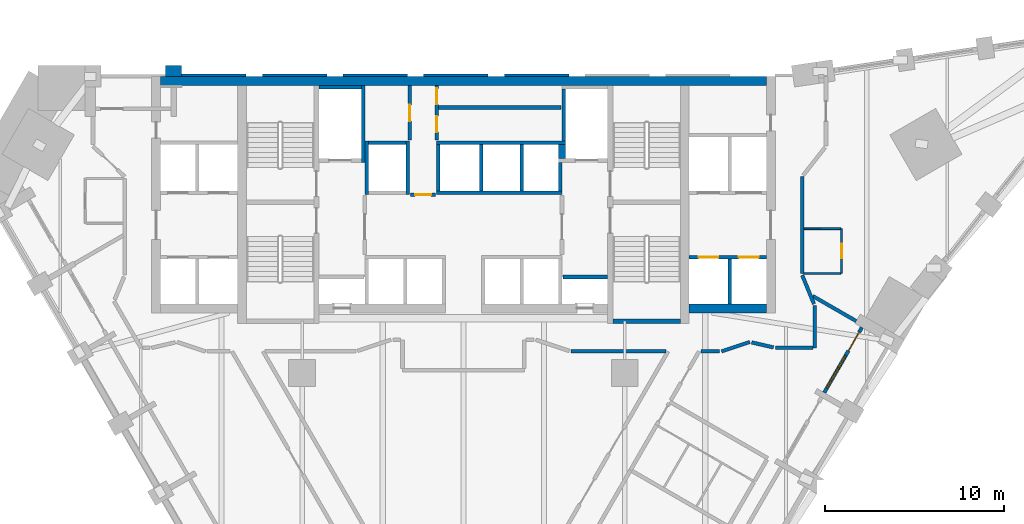
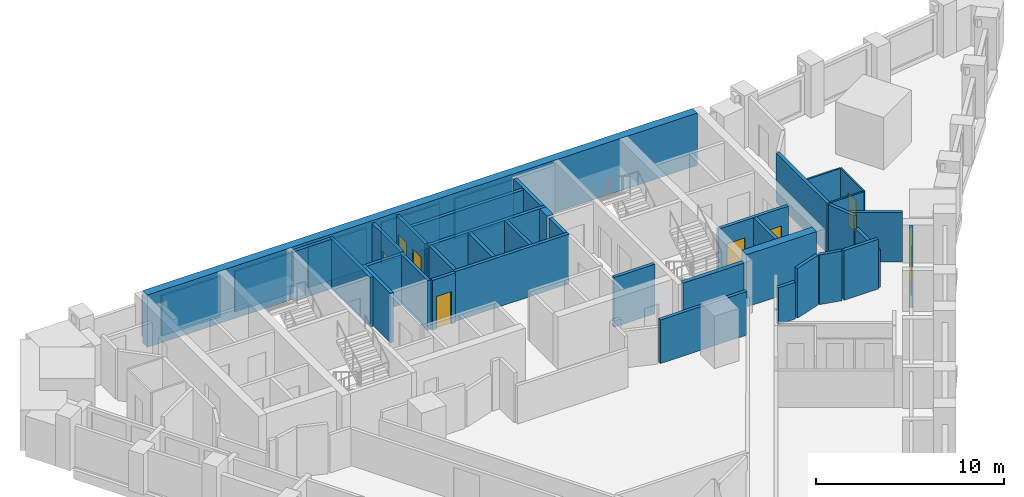
# One storey, part 7 of 10: 42 walls, 8 doors, 1 window, 9 openings.
"""IFC4 building model written with IfcOpenShell, lengths in metres."""

from ifc_helpers import new_model, si_unit, direction, frame, frame_2d, origin, place, context, subcontext, project, spatial, polyline, rectangle, outline, extrude, material, layer, layer_set, type_object, element, fill, save


model = new_model("IFC4")

# Units and contexts
model_context = context("Model", 3, precision=1e-05, world=origin(), true_north=direction((0.0, 1.0)))
body_context = subcontext(model_context, "Body", "Model", "MODEL_VIEW")
ifc_project = project(units=[si_unit("LENGTHUNIT", "METRE"), si_unit("AREAUNIT", "SQUARE_METRE"), si_unit("VOLUMEUNIT", "CUBIC_METRE"), si_unit("PLANEANGLEUNIT", "RADIAN"), si_unit("MASSUNIT", "GRAM", prefix="KILO")], contexts=[model_context])

# Site, building, storey
site_placement = place(None, origin())
site = spatial("IfcSite", under=ifc_project, at=site_placement, CompositionType="ELEMENT")
building_placement = place(site_placement, origin())
building = spatial("IfcBuilding", under=site, at=building_placement, Name="Calabash Gate Tower", CompositionType="ELEMENT")
storey_placement = place(building_placement, frame((0.0, 0.0, 108.800048828125)))
storey = spatial("IfcBuildingStorey", under=building, at=storey_placement, Name="L24", CompositionType="ELEMENT", Elevation=108.800048828125)

# Walls
ifc_material_1 = material(Name="Terracotta brick masonry, exposed face", Category="masonry")
ifc_layer_1 = layer(ifc_material_1, 1.199951171875)
ifc_layer_set_1 = layer_set([ifc_layer_1], Name="Brick end wall 1200")
wall_type_1 = type_object("IfcWallType", Name="Brick end wall 1200", PredefinedType="SOLIDWALL", material=ifc_layer_set_1)
wall_1_placement = place(storey_placement, origin())
element("IfcWall", 1, at=wall_1_placement, inside=storey, type_object=wall_type_1, Name="Brick pier S06 N6.7a", PredefinedType="SOLIDWALL", context=body_context, shape_type="SweptSolid", body=[
    extrude(outline(polyline([(-15.718994140625, 19.052490234375), (-15.718994140625, 19.652587890625), (-16.619140625, 19.652587890625), (-16.619140625, 19.052490234375), (-15.718994140625, 19.052490234375)])), origin(), (0.0, 0.0, 1.0), 2.64990234375),
])
ifc_material_2 = material(Name="Concrete C80/95", Category="concrete")
ifc_layer_2 = layer(ifc_material_2, 0.25)
ifc_layer_set_2 = layer_set([ifc_layer_2], Name="Core wall 250 Concrete C80/95")
wall_type_2 = type_object("IfcWallType", Name="Core wall 250 Concrete C80/95", PredefinedType="SHEAR", material=ifc_layer_set_2)
wall_2_placement = place(storey_placement, frame((8.35009765625, 5.377685546875, 0.0), z_axis=(0.0, 0.0, 1.0), x_axis=(1.0, 0.0, 0.0)))
element("IfcWall", 2, at=wall_2_placement, inside=storey, type_object=wall_type_2, Name="Core wall Z2-SSE L24", PredefinedType="SHEAR", context=body_context, shape_type="SweptSolid", body=[
    extrude(rectangle(XDim=3.75, YDim=0.25, at=frame_2d((1.875, 0.0))), origin(), (0.0, 0.0, 1.0), 3.39990234375),
])
ifc_material_3 = material(Name="Concrete C80/95", Category="concrete")
ifc_layer_3 = layer(ifc_material_3, 0.5)
ifc_layer_set_3 = layer_set([ifc_layer_3], Name="Core wall 500 Concrete C80/95")
wall_type_3 = type_object("IfcWallType", Name="Core wall 500 Concrete C80/95", PredefinedType="SHEAR", material=ifc_layer_set_3)
wall_3_placement = place(storey_placement, frame((-16.89990234375, 18.802490234375, 0.0), z_axis=(0.0, 0.0, 1.0), x_axis=(1.0, 0.0, 0.0)))
element("IfcWall", 3, at=wall_3_placement, inside=storey, type_object=wall_type_3, Name="Core wall Z2-N L24", PredefinedType="SHEAR", context=body_context, shape_type="SweptSolid", body=[
    extrude(rectangle(XDim=33.7998046875, YDim=0.5, at=frame_2d((16.89990234375, 0.0))), origin(), (0.0, 0.0, 1.0), 3.39990234375),
])
wall_4_placement = place(storey_placement, frame((12.60009765625, 6.1025390625, 0.0), z_axis=(0.0, 0.0, 1.0), x_axis=(1.0, 0.0, 0.0)))
element("IfcWall", 4, at=wall_4_placement, inside=storey, type_object=wall_type_3, Name="Core wall Z2-SE L24", PredefinedType="SHEAR", context=body_context, shape_type="SweptSolid", body=[
    extrude(rectangle(XDim=4.2998046875, YDim=0.5, at=frame_2d((2.14990234375, 0.0))), origin(), (0.0, 0.0, 1.0), 3.39990234375),
])
ifc_material_4 = material(Name="Gypsum board on steel studs, mineral wool", Category="steel")
ifc_layer_4 = layer(ifc_material_4, 0.10009765625)
ifc_layer_set_4 = layer_set([ifc_layer_4], Name="Partition 100 gypsum board")
wall_type_4 = type_object("IfcWallType", Name="Partition 100 gypsum board", PredefinedType="PARTITIONING", material=ifc_layer_set_4)
wall_5_placement = place(storey_placement, frame((19.00048828125, 8.05419921875, 0.0), z_axis=(0.0, 0.0, 1.0), x_axis=(0.999999744716, -0.000714540725, 0.0)))
element("IfcWall", 5, at=wall_5_placement, inside=storey, type_object=wall_type_4, Name="Partition", PredefinedType="PARTITIONING", context=body_context, shape_type="SweptSolid", body=[
    extrude(rectangle(XDim=2.050048828125, YDim=0.10009765625, at=frame_2d((1.02490234375, 0.0))), origin(), (0.0, 0.0, 1.0), 3.22998046875),
])

# Wall, opening, door
wall_6_placement = place(storey_placement, frame((21.1005859375, 8.052734375, 0.0), z_axis=(0.0, 0.0, 1.0), x_axis=(0.0, 1.0, 0.0)))
wall_6 = element("IfcWall", 6, at=wall_6_placement, inside=storey, type_object=wall_type_4, Name="Partition", PredefinedType="PARTITIONING", context=body_context, shape_type="SweptSolid", body=[
    extrude(rectangle(XDim=2.5, YDim=0.10009765625, at=frame_2d((1.25, 0.0))), origin(), (0.0, 0.0, 1.0), 3.22998046875),
])
opening_1_placement = place(wall_6_placement, frame((0.85009765625, 0.0, 0.0)))
opening_1 = element("IfcOpeningElement", 7, at=opening_1_placement, cuts=wall_6, Name="Opening 22-24-010", PredefinedType="OPENING", context=body_context, shape_type="SweptSolid", body=[
    extrude(rectangle(XDim=0.800048828125, YDim=2.10009765625, at=frame_2d((0.39990234375, 1.050048828125))), frame((0.0, 0.06005859375, 0.0), z_axis=(0.0, -1.0, 0.0), x_axis=(1.0, 0.0, 0.0)), (0.0, 0.0, 1.0), 0.1201171875),
])
ifc_material_5 = material(Name="Painted timber door", Category="wood")
door_type_1 = type_object("IfcDoorType", Name="GD5 En-suite door 800x2100", OperationType="NOTDEFINED", PredefinedType="DOOR", material=ifc_material_5)
door_1_placement = place(opening_1_placement, origin())
door_1 = element("IfcDoor", 8, at=door_1_placement, inside=storey, type_object=door_type_1, Name="En-suite door", OperationType="SINGLE_SWING_LEFT", OverallHeight=2.10009765625, OverallWidth=0.800048828125, PredefinedType="DOOR", context=body_context, shape_type="SweptSolid", body=[
    extrude(rectangle(XDim=0.800048828125, YDim=2.10009765625, at=frame_2d((0.39990234375, 1.050048828125))), frame((0.0, 0.02490234375, 0.0), z_axis=(0.0, -1.0, 0.0), x_axis=(1.0, 0.0, 0.0)), (0.0, 0.0, 1.0), 0.050048828125),
])
fill(opening_1, door_1)

# Walls
wall_7_placement = place(storey_placement, frame((19.00048828125, 10.551025390625, 0.0), z_axis=(0.0, 0.0, 1.0), x_axis=(0.999999744716, 0.000714540725, 0.0)))
element("IfcWall", 9, at=wall_7_placement, inside=storey, type_object=wall_type_4, Name="Partition", PredefinedType="PARTITIONING", context=body_context, shape_type="SweptSolid", body=[
    extrude(rectangle(XDim=2.050048828125, YDim=0.10009765625, at=frame_2d((1.02490234375, 0.0))), origin(), (0.0, 0.0, 1.0), 3.22998046875),
])
ifc_material_6 = material(Name="Gypsum board on steel studs, mineral wool", Category="steel")
ifc_layer_5 = layer(ifc_material_6, 0.199951171875)
ifc_layer_set_5 = layer_set([ifc_layer_5], Name="Partition 200 gypsum board EI 60")
wall_type_5 = type_object("IfcWallType", Name="Partition 200 gypsum board EI 60", PredefinedType="PARTITIONING", material=ifc_layer_set_5)
wall_8_placement = place(storey_placement, frame((6.0, 3.69970703125, 0.0), z_axis=(0.0, 0.0, 1.0), x_axis=(1.0, 0.0, 0.0)))
element("IfcWall", 10, at=wall_8_placement, inside=storey, type_object=wall_type_5, Name="Partition", PredefinedType="PARTITIONING", context=body_context, shape_type="SweptSolid", body=[
    extrude(rectangle(XDim=5.314697265625, YDim=0.199951171875, at=frame_2d((2.6572265625, 0.0))), origin(), (0.0, 0.0, 1.0), 2.83154296875),
])
wall_9_placement = place(storey_placement, frame((13.24755859375, 3.699462890625, 0.0), z_axis=(0.0, 0.0, 1.0), x_axis=(1.0, 0.0, 0.0)))
element("IfcWall", 11, at=wall_9_placement, inside=storey, type_object=wall_type_5, Name="Partition", PredefinedType="PARTITIONING", context=body_context, shape_type="SweptSolid", body=[
    extrude(rectangle(XDim=1.052490234375, YDim=0.199951171875, at=frame_2d((0.5263671875, 0.0))), origin(), (0.0, 0.0, 1.0), 2.384033203125),
])
wall_10_placement = place(storey_placement, frame((14.400146484375, 3.699462890625, 0.0), z_axis=(0.0, 0.0, 1.0), x_axis=(0.948683298051, 0.316227766017, 0.0)))
element("IfcWall", 12, at=wall_10_placement, inside=storey, type_object=wall_type_5, Name="Partition", PredefinedType="PARTITIONING", context=body_context, shape_type="SweptSolid", body=[
    extrude(rectangle(XDim=1.66845703125, YDim=0.199951171875, at=frame_2d((0.834228515625, 0.0))), origin(), (0.0, 0.0, 1.0), 3.22998046875),
])
wall_11_placement = place(storey_placement, frame((17.39990234375, 3.8994140625, 0.0), z_axis=(0.0, 0.0, 1.0), x_axis=(0.999999993243, 0.000116252034, 0.0)))
element("IfcWall", 13, at=wall_11_placement, inside=storey, type_object=wall_type_5, Name="Partition", PredefinedType="PARTITIONING", context=body_context, shape_type="SweptSolid", body=[
    extrude(rectangle(XDim=2.10009765625, YDim=0.199951171875, at=frame_2d((1.050048828125, 0.0))), origin(), (0.0, 0.0, 1.0), 3.22998046875),
])
wall_12_placement = place(storey_placement, frame((19.60009765625, 3.899658203125, 0.0), z_axis=(0.0, 0.0, 1.0), x_axis=(0.000207511927, 0.999999978469, 0.0)))
element("IfcWall", 14, at=wall_12_placement, inside=storey, type_object=wall_type_5, Name="Partition", PredefinedType="PARTITIONING", context=body_context, shape_type="SweptSolid", body=[
    extrude(rectangle(XDim=2.35302734375, YDim=0.199951171875, at=frame_2d((1.176513671875, 0.0))), origin(), (0.0, 0.0, 1.0), 2.449951171875),
])
wall_13_placement = place(storey_placement, frame((16.080322265625, 4.20458984375, 0.0), z_axis=(0.0, 0.0, 1.0), x_axis=(0.974315694548, -0.225186428005, 0.0)))
element("IfcWall", 15, at=wall_13_placement, inside=storey, type_object=wall_type_5, Name="Partition", PredefinedType="PARTITIONING", context=body_context, shape_type="SweptSolid", body=[
    extrude(rectangle(XDim=1.25439453125, YDim=0.199951171875, at=frame_2d((0.627197265625, 0.0))), origin(), (0.0, 0.0, 1.0), 3.22998046875),
])
wall_14_placement = place(storey_placement, frame((18.904296875, 7.9541015625, 0.0), z_axis=(0.0, 0.0, 1.0), x_axis=(0.378643783121, -0.925542481739, 0.0)))
element("IfcWall", 16, at=wall_14_placement, inside=storey, type_object=wall_type_5, Name="Partition", PredefinedType="PARTITIONING", context=body_context, shape_type="SweptSolid", body=[
    extrude(rectangle(XDim=1.73828125, YDim=0.199951171875, at=frame_2d((0.869140625, 0.0))), origin(), (0.0, 0.0, 1.0), 3.22998046875),
])
wall_15_placement = place(storey_placement, frame((19.487060546875, 6.794189453125, 0.0), z_axis=(0.0, 0.0, 1.0), x_axis=(0.866320237392, -0.499488985149, 0.0)))
element("IfcWall", 17, at=wall_15_placement, inside=storey, type_object=wall_type_5, Name="Partition", PredefinedType="PARTITIONING", context=body_context, shape_type="SweptSolid", body=[
    extrude(rectangle(XDim=2.806640625, YDim=0.199951171875, at=frame_2d((1.4033203125, 0.0))), origin(), (0.0, 0.0, 1.0), 3.22998046875),
])
wall_16_placement = place(storey_placement, frame((18.902099609375, 8.052734375, 0.0), z_axis=(0.0, 0.0, 1.0), x_axis=(0.0, 1.0, 0.0)))
element("IfcWall", 18, at=wall_16_placement, inside=storey, type_object=wall_type_5, Name="Partition", PredefinedType="PARTITIONING", context=body_context, shape_type="SweptSolid", body=[
    extrude(rectangle(XDim=5.399658203125, YDim=0.199951171875, at=frame_2d((2.69970703125, 0.0))), origin(), (0.0, 0.0, 1.0), 3.22998046875),
])
ifc_material_7 = material(Name="Concrete C40/50", Category="concrete")
ifc_layer_6 = layer(ifc_material_7, 0.199951171875)
ifc_layer_set_6 = layer_set([ifc_layer_6], Name="Shaft wall 200 Concrete C40/50")
wall_type_6 = type_object("IfcWallType", Name="Shaft wall 200 Concrete C40/50", PredefinedType="SOLIDWALL", material=ifc_layer_set_6)
for number, where, z_axis, x_axis, name in (
    (19, (14.85009765625, 6.3525390625, 0.0), (0.0, 0.0, 1.0), (0.0, 1.0, 0.0), "Shaft wall"),
    (20, (5.550048828125, 7.8525390625, 0.0), (0.0, 0.0, 1.0), (1.0, 0.0, 0.0), "Shaft wall"),
):
    element("IfcWall", number, at=place(storey_placement, frame(where, z_axis=z_axis, x_axis=x_axis)), inside=storey, type_object=wall_type_6, Name=name, PredefinedType="SOLIDWALL", context=body_context, shape_type="SweptSolid", body=[
        extrude(rectangle(XDim=2.5, YDim=0.199951171875, at=frame_2d((1.25, 0.0))), origin(), (0.0, 0.0, 1.0), 3.22998046875),
    ])

# Wall, openings, doors
wall_17_placement = place(storey_placement, frame((12.60009765625, 8.95263671875, 0.0), z_axis=(0.0, 0.0, 1.0), x_axis=(1.0, 0.0, 0.0)))
wall_17 = element("IfcWall", 21, at=wall_17_placement, inside=storey, type_object=wall_type_6, Name="Shaft wall", PredefinedType="SOLIDWALL", context=body_context, shape_type="SweptSolid", body=[
    extrude(rectangle(XDim=4.2998046875, YDim=0.199951171875, at=frame_2d((2.14990234375, 0.0))), origin(), (0.0, 0.0, 1.0), 3.22998046875),
])
opening_2_placement = place(wall_17_placement, frame((0.52490234375, 0.0, 0.0)))
opening_2 = element("IfcOpeningElement", 22, at=opening_2_placement, cuts=wall_17, Name="Opening LD-LR5", PredefinedType="OPENING", context=body_context, shape_type="SweptSolid", body=[
    extrude(rectangle(XDim=1.10009765625, YDim=2.10009765625, at=frame_2d((0.550048828125, 1.050048828125))), frame((0.0, 0.10986328125, 0.0), z_axis=(0.0, -1.0, 0.0), x_axis=(1.0, 0.0, 0.0)), (0.0, 0.0, 1.0), 0.219970703125),
])
opening_3_placement = place(wall_17_placement, frame((2.77490234375, 0.0, 0.0)))
opening_3 = element("IfcOpeningElement", 23, at=opening_3_placement, cuts=wall_17, Name="Opening LD-LR6", PredefinedType="OPENING", context=body_context, shape_type="SweptSolid", body=[
    extrude(rectangle(XDim=1.10009765625, YDim=2.10009765625, at=frame_2d((0.550048828125, 1.050048828125))), frame((0.0, 0.10986328125, 0.0), z_axis=(0.0, -1.0, 0.0), x_axis=(1.0, 0.0, 0.0)), (0.0, 0.0, 1.0), 0.219970703125),
])
ifc_material_8 = material(Name="Stainless steel sliding door leaves", Category="steel")
door_type_2 = type_object("IfcDoorType", Name="Lift landing door LS1 1100x2100 FD90", OperationType="DOUBLE_DOOR_SLIDING", PredefinedType="DOOR", material=ifc_material_8)
door_2_placement = place(opening_2_placement, origin())
door_2 = element("IfcDoor", 24, at=door_2_placement, inside=storey, type_object=door_type_2, Name="Lift landing door LR5", OperationType="DOUBLE_DOOR_SLIDING", OverallHeight=2.10009765625, OverallWidth=1.10009765625, PredefinedType="DOOR", context=body_context, shape_type="SweptSolid", body=[
    extrude(rectangle(XDim=1.10009765625, YDim=2.10009765625, at=frame_2d((0.550048828125, 1.050048828125))), frame((0.0, 0.02490234375, 0.0), z_axis=(0.0, -1.0, 0.0), x_axis=(1.0, 0.0, 0.0)), (0.0, 0.0, 1.0), 0.050048828125),
])
fill(opening_2, door_2)
door_3_placement = place(opening_3_placement, origin())
door_3 = element("IfcDoor", 25, at=door_3_placement, inside=storey, type_object=door_type_2, Name="Lift landing door LR6", OperationType="DOUBLE_DOOR_SLIDING", OverallHeight=2.10009765625, OverallWidth=1.10009765625, PredefinedType="DOOR", context=body_context, shape_type="SweptSolid", body=[
    extrude(rectangle(XDim=1.10009765625, YDim=2.10009765625, at=frame_2d((0.550048828125, 1.050048828125))), frame((0.0, 0.02490234375, 0.0), z_axis=(0.0, -1.0, 0.0), x_axis=(1.0, 0.0, 0.0)), (0.0, 0.0, 1.0), 0.050048828125),
])
fill(opening_3, door_3)

# Wall, opening, door
wall_18_placement = place(storey_placement, frame((-2.949951171875, 12.45263671875, 0.0), z_axis=(0.0, 0.0, 1.0), x_axis=(1.0, 0.0, 0.0)))
wall_18 = element("IfcWall", 26, at=wall_18_placement, inside=storey, type_object=wall_type_6, Name="Shaft wall", PredefinedType="SOLIDWALL", context=body_context, shape_type="SweptSolid", body=[
    extrude(rectangle(XDim=1.39990234375, YDim=0.199951171875, at=frame_2d((0.699951171875, 0.0))), origin(), (0.0, 0.0, 1.0), 3.22998046875),
])
opening_4_placement = place(wall_18_placement, frame((0.25, 0.0, 0.0)))
opening_4 = element("IfcOpeningElement", 27, at=opening_4_placement, cuts=wall_18, Name="Opening H6-005", PredefinedType="OPENING", context=body_context, shape_type="SweptSolid", body=[
    extrude(rectangle(XDim=0.89990234375, YDim=2.10009765625, at=frame_2d((0.449951171875, 1.050048828125))), frame((0.0, 0.10986328125, 0.0), z_axis=(0.0, -1.0, 0.0), x_axis=(1.0, 0.0, 0.0)), (0.0, 0.0, 1.0), 0.219970703125),
])
ifc_material_9 = material(Name="Steel fire door set with fire-resisting glazing", Category="steel")
door_type_3 = type_object("IfcDoorType", Name="Fire door D06 900x2100 FD60", OperationType="NOTDEFINED", PredefinedType="DOOR", material=ifc_material_9)
door_4_placement = place(opening_4_placement, origin())
door_4 = element("IfcDoor", 28, at=door_4_placement, inside=storey, type_object=door_type_3, Name="Service Corridor door", OperationType="SINGLE_SWING_RIGHT", OverallHeight=2.10009765625, OverallWidth=0.89990234375, PredefinedType="DOOR", context=body_context, shape_type="SweptSolid", body=[
    extrude(rectangle(XDim=0.89990234375, YDim=2.10009765625, at=frame_2d((0.449951171875, 1.050048828125))), frame((0.0, 0.02490234375, 0.0), z_axis=(0.0, -1.0, 0.0), x_axis=(1.0, 0.0, 0.0)), (0.0, 0.0, 1.0), 0.050048828125),
])
fill(opening_4, door_4)

# Walls
for number, where, z_axis, x_axis, name in (
    (29, (-5.39990234375, 12.45263671875, 0.0), (0.0, 0.0, 1.0), (0.0, 1.0, 0.0), "Shaft wall"),
    (30, (-3.10009765625, 12.45263671875, 0.0), (0.0, 0.0, 1.0), (0.0, 1.0, 0.0), "Shaft wall"),
):
    element("IfcWall", number, at=place(storey_placement, frame(where, z_axis=z_axis, x_axis=x_axis)), inside=storey, type_object=wall_type_6, Name=name, PredefinedType="SOLIDWALL", context=body_context, shape_type="SweptSolid", body=[
        extrude(rectangle(XDim=3.0, YDim=0.199951171875, at=frame_2d((1.5, 0.0))), origin(), (0.0, 0.0, 1.0), 3.22998046875),
    ])
wall_19_placement = place(storey_placement, frame((-1.5, 12.552490234375, 0.0), z_axis=(0.0, 0.0, 1.0), x_axis=(1.0, 0.0, 0.0)))
element("IfcWall", 31, at=wall_19_placement, inside=storey, type_object=wall_type_6, Name="Shaft wall", PredefinedType="SOLIDWALL", context=body_context, shape_type="SweptSolid", body=[
    extrude(rectangle(XDim=7.0, YDim=0.199951171875, at=frame_2d((3.5, 0.0))), origin(), (0.0, 0.0, 1.0), 3.22998046875),
])
for number, where, z_axis, x_axis, name in (
    (32, (-1.39990234375, 12.652587890625, 0.0), (0.0, 0.0, 1.0), (0.0, 1.0, 0.0), "Shaft wall"),
    (33, (1.0, 12.652587890625, 0.0), (0.0, 0.0, 1.0), (0.0, 1.0, 0.0), "Shaft wall"),
    (34, (3.25, 12.652587890625, 0.0), (0.0, 0.0, 1.0), (0.0, 1.0, 0.0), "Shaft wall"),
):
    element("IfcWall", number, at=place(storey_placement, frame(where, z_axis=z_axis, x_axis=x_axis)), inside=storey, type_object=wall_type_6, Name=name, PredefinedType="SOLIDWALL", context=body_context, shape_type="SweptSolid", body=[
        extrude(rectangle(XDim=2.60009765625, YDim=0.199951171875, at=frame_2d((1.300048828125, 0.0))), origin(), (0.0, 0.0, 1.0), 3.22998046875),
    ])
wall_20_placement = place(storey_placement, frame((5.39990234375, 12.652587890625, 0.0), z_axis=(0.0, 0.0, 1.0), x_axis=(0.0, 1.0, 0.0)))
element("IfcWall", 35, at=wall_20_placement, inside=storey, type_object=wall_type_6, Name="Shaft wall", PredefinedType="SOLIDWALL", context=body_context, shape_type="SweptSolid", body=[
    extrude(rectangle(XDim=1.60009765625, YDim=0.199951171875, at=frame_2d((0.800048828125, 0.0))), origin(), (0.0, 0.0, 1.0), 3.22998046875),
])
wall_21_placement = place(storey_placement, frame((-5.60009765625, 14.252685546875, 0.0), z_axis=(0.0, 0.0, 1.0), x_axis=(0.0, 1.0, 0.0)))
element("IfcWall", 36, at=wall_21_placement, inside=storey, type_object=wall_type_6, Name="Shaft wall", PredefinedType="SOLIDWALL", context=body_context, shape_type="SweptSolid", body=[
    extrude(rectangle(XDim=4.2998046875, YDim=0.199951171875, at=frame_2d((2.14990234375, 0.0))), origin(), (0.0, 0.0, 1.0), 3.22998046875),
])
wall_22_placement = place(storey_placement, frame((5.5, 14.45263671875, 0.0), z_axis=(0.0, 0.0, 1.0), x_axis=(0.0, 1.0, 0.0)))
element("IfcWall", 37, at=wall_22_placement, inside=storey, type_object=wall_type_6, Name="Shaft wall", PredefinedType="SOLIDWALL", context=body_context, shape_type="SweptSolid", body=[
    extrude(rectangle(XDim=0.800048828125, YDim=0.39990234375, at=frame_2d((0.39990234375, 0.0))), origin(), (0.0, 0.0, 1.0), 3.22998046875),
])
wall_23_placement = place(storey_placement, frame((-5.300048828125, 15.3525390625, 0.0), z_axis=(0.0, 0.0, 1.0), x_axis=(1.0, 0.0, 0.0)))
element("IfcWall", 38, at=wall_23_placement, inside=storey, type_object=wall_type_6, Name="Shaft wall", PredefinedType="SOLIDWALL", context=body_context, shape_type="SweptSolid", body=[
    extrude(rectangle(XDim=2.10009765625, YDim=0.199951171875, at=frame_2d((1.050048828125, 0.0))), origin(), (0.0, 0.0, 1.0), 3.22998046875),
])
wall_24_placement = place(storey_placement, frame((-1.5, 15.3525390625, 0.0), z_axis=(0.0, 0.0, 1.0), x_axis=(1.0, 0.0, 0.0)))
element("IfcWall", 39, at=wall_24_placement, inside=storey, type_object=wall_type_6, Name="Shaft wall", PredefinedType="SOLIDWALL", context=body_context, shape_type="SweptSolid", body=[
    extrude(rectangle(XDim=7.199951171875, YDim=0.199951171875, at=frame_2d((3.60009765625, 0.0))), origin(), (0.0, 0.0, 1.0), 3.22998046875),
])
wall_25_placement = place(storey_placement, frame((5.60009765625, 15.45263671875, 0.0), z_axis=(0.0, 0.0, 1.0), x_axis=(0.0, 1.0, 0.0)))
element("IfcWall", 40, at=wall_25_placement, inside=storey, type_object=wall_type_6, Name="Shaft wall", PredefinedType="SOLIDWALL", context=body_context, shape_type="SweptSolid", body=[
    extrude(rectangle(XDim=2.89990234375, YDim=0.199951171875, at=frame_2d((1.449951171875, 0.0))), origin(), (0.0, 0.0, 1.0), 3.22998046875),
])

# Wall, opening, door
wall_26_placement = place(storey_placement, frame((-3.0, 15.502685546875, 0.0), z_axis=(0.0, 0.0, 1.0), x_axis=(0.0, 1.0, 0.0)))
wall_26 = element("IfcWall", 41, at=wall_26_placement, inside=storey, type_object=wall_type_6, Name="Shaft wall", PredefinedType="SOLIDWALL", context=body_context, shape_type="SweptSolid", body=[
    extrude(rectangle(XDim=3.0498046875, YDim=0.199951171875, at=frame_2d((1.52490234375, 0.0))), origin(), (0.0, 0.0, 1.0), 3.22998046875),
])
opening_5_placement = place(wall_26_placement, frame((1.050048828125, 0.0, 0.0)))
opening_5 = element("IfcOpeningElement", 42, at=opening_5_placement, cuts=wall_26, Name="Opening H6-008", PredefinedType="OPENING", context=body_context, shape_type="SweptSolid", body=[
    extrude(rectangle(XDim=0.89990234375, YDim=2.10009765625, at=frame_2d((0.449951171875, 1.050048828125))), frame((0.0, 0.10986328125, 0.0), z_axis=(0.0, -1.0, 0.0), x_axis=(1.0, 0.0, 0.0)), (0.0, 0.0, 1.0), 0.219970703125),
])
door_5_placement = place(opening_5_placement, origin())
door_5 = element("IfcDoor", 43, at=door_5_placement, inside=storey, type_object=door_type_3, Name="Luggage Store door", OperationType="SINGLE_SWING_LEFT", OverallHeight=2.10009765625, OverallWidth=0.89990234375, PredefinedType="DOOR", context=body_context, shape_type="SweptSolid", body=[
    extrude(rectangle(XDim=0.89990234375, YDim=2.10009765625, at=frame_2d((0.449951171875, 1.050048828125))), frame((0.0, 0.02490234375, 0.0), z_axis=(0.0, -1.0, 0.0), x_axis=(1.0, 0.0, 0.0)), (0.0, 0.0, 1.0), 0.050048828125),
])
fill(opening_5, door_5)

# Wall, openings, doors
wall_27_placement = place(storey_placement, frame((-1.5, 15.502685546875, 0.0), z_axis=(0.0, 0.0, 1.0), x_axis=(0.0, 1.0, 0.0)))
wall_27 = element("IfcWall", 44, at=wall_27_placement, inside=storey, type_object=wall_type_6, Name="Shaft wall", PredefinedType="SOLIDWALL", context=body_context, shape_type="SweptSolid", body=[
    extrude(rectangle(XDim=3.0498046875, YDim=0.199951171875, at=frame_2d((1.52490234375, 0.0))), origin(), (0.0, 0.0, 1.0), 3.22998046875),
])
opening_6_placement = place(wall_27_placement, frame((0.429931640625, 0.0, 0.0)))
opening_6 = element("IfcOpeningElement", 45, at=opening_6_placement, cuts=wall_27, Name="Opening H6-009", PredefinedType="OPENING", context=body_context, shape_type="SweptSolid", body=[
    extrude(rectangle(XDim=0.89990234375, YDim=2.10009765625, at=frame_2d((0.449951171875, 1.050048828125))), frame((0.0, 0.10986328125, 0.0), z_axis=(0.0, -1.0, 0.0), x_axis=(1.0, 0.0, 0.0)), (0.0, 0.0, 1.0), 0.219970703125),
])
opening_7_placement = place(wall_27_placement, frame((1.97998046875, 0.0, 0.0)))
opening_7 = element("IfcOpeningElement", 46, at=opening_7_placement, cuts=wall_27, Name="Opening H6-010", PredefinedType="OPENING", context=body_context, shape_type="SweptSolid", body=[
    extrude(rectangle(XDim=0.89990234375, YDim=2.10009765625, at=frame_2d((0.449951171875, 1.050048828125))), frame((0.0, 0.10986328125, 0.0), z_axis=(0.0, -1.0, 0.0), x_axis=(1.0, 0.0, 0.0)), (0.0, 0.0, 1.0), 0.219970703125),
])
door_6_placement = place(opening_6_placement, origin())
door_6 = element("IfcDoor", 47, at=door_6_placement, inside=storey, type_object=door_type_3, Name="Comms Room door", OperationType="SINGLE_SWING_LEFT", OverallHeight=2.10009765625, OverallWidth=0.89990234375, PredefinedType="DOOR", context=body_context, shape_type="SweptSolid", body=[
    extrude(rectangle(XDim=0.89990234375, YDim=2.10009765625, at=frame_2d((0.449951171875, 1.050048828125))), frame((0.0, 0.02490234375, 0.0), z_axis=(0.0, -1.0, 0.0), x_axis=(1.0, 0.0, 0.0)), (0.0, 0.0, 1.0), 0.050048828125),
])
fill(opening_6, door_6)
door_7_placement = place(opening_7_placement, origin())
door_7 = element("IfcDoor", 48, at=door_7_placement, inside=storey, type_object=door_type_3, Name="Housekeeping Store door", OperationType="SINGLE_SWING_LEFT", OverallHeight=2.10009765625, OverallWidth=0.89990234375, PredefinedType="DOOR", context=body_context, shape_type="SweptSolid", body=[
    extrude(rectangle(XDim=0.89990234375, YDim=2.10009765625, at=frame_2d((0.449951171875, 1.050048828125))), frame((0.0, 0.02490234375, 0.0), z_axis=(0.0, -1.0, 0.0), x_axis=(1.0, 0.0, 0.0)), (0.0, 0.0, 1.0), 0.050048828125),
])
fill(opening_7, door_7)

# Walls
wall_28_placement = place(storey_placement, frame((-1.39990234375, 17.3125, 0.0), z_axis=(0.0, 0.0, 1.0), x_axis=(1.0, 0.0, 0.0)))
element("IfcWall", 49, at=wall_28_placement, inside=storey, type_object=wall_type_6, Name="Shaft wall", PredefinedType="SOLIDWALL", context=body_context, shape_type="SweptSolid", body=[
    extrude(rectangle(XDim=6.849853515625, YDim=0.199951171875, at=frame_2d((3.4248046875, 0.0))), origin(), (0.0, 0.0, 1.0), 3.22998046875),
])
wall_29_placement = place(storey_placement, frame((-8.050048828125, 18.45263671875, 0.0), z_axis=(0.0, 0.0, 1.0), x_axis=(1.0, 0.0, 0.0)))
element("IfcWall", 50, at=wall_29_placement, inside=storey, type_object=wall_type_6, Name="Shaft wall", PredefinedType="SOLIDWALL", context=body_context, shape_type="SweptSolid", body=[
    extrude(rectangle(XDim=2.35009765625, YDim=0.199951171875, at=frame_2d((1.175048828125, 0.0))), origin(), (0.0, 0.0, 1.0), 3.22998046875),
])
ifc_material_10 = material(Name="Terracotta brick masonry, perforated", Category="masonry")
ifc_layer_7 = layer(ifc_material_10, 0.1201171875)
ifc_layer_set_7 = layer_set([ifc_layer_7], Name="Terracotta jaali cladding B 120")
wall_type_7 = type_object("IfcWallType", Name="Terracotta jaali cladding B 120", PredefinedType="SOLIDWALL", material=ifc_layer_set_7)
wall_30_placement = place(storey_placement, origin())
element("IfcWall", 51, at=wall_30_placement, inside=storey, type_object=wall_type_7, Name="Jaali cladding S06 N6.3", PredefinedType="SOLIDWALL", context=body_context, shape_type="SweptSolid", body=[
    extrude(outline(polyline([(2.281005859375, 19.172607421875), (2.281005859375, 19.052490234375), (5.880859375, 19.052490234375), (5.880859375, 19.172607421875), (2.281005859375, 19.172607421875)])), origin(), (0.0, 0.0, 1.0), 2.64990234375),
])
wall_31_placement = place(storey_placement, origin())
element("IfcWall", 52, at=wall_31_placement, inside=storey, type_object=wall_type_7, Name="Jaali cladding S06 N6.5", PredefinedType="SOLIDWALL", context=body_context, shape_type="SweptSolid", body=[
    extrude(outline(polyline([(-6.718994140625, 19.172607421875), (-6.718994140625, 19.052490234375), (-3.119140625, 19.052490234375), (-3.119140625, 19.172607421875), (-6.718994140625, 19.172607421875)])), origin(), (0.0, 0.0, 1.0), 2.64990234375),
])
wall_32_placement = place(storey_placement, origin())
element("IfcWall", 53, at=wall_32_placement, inside=storey, type_object=wall_type_7, Name="Jaali cladding S06 N6.7", PredefinedType="SOLIDWALL", context=body_context, shape_type="SweptSolid", body=[
    extrude(outline(polyline([(-15.718505859375, 19.172607421875), (-15.718505859375, 19.052490234375), (-12.119140625, 19.052490234375), (-12.119140625, 19.172607421875), (-15.718505859375, 19.172607421875)])), origin(), (0.0, 0.0, 1.0), 2.64990234375),
])
ifc_material_11 = material(Name="Terracotta louvre blades in an aluminium frame", Category="masonry")
ifc_layer_8 = layer(ifc_material_11, 0.1201171875)
ifc_layer_set_8 = layer_set([ifc_layer_8], Name="Terracotta vent louvre cladding 120")
wall_type_8 = type_object("IfcWallType", Name="Terracotta vent louvre cladding 120", PredefinedType="ELEMENTEDWALL", material=ifc_layer_set_8)
wall_33_placement = place(storey_placement, origin())
element("IfcWall", 54, at=wall_33_placement, inside=storey, type_object=wall_type_8, Name="Vent louvre cladding S06 N6.4", PredefinedType="ELEMENTEDWALL", context=body_context, shape_type="SweptSolid", body=[
    extrude(outline(polyline([(-2.218994140625, 19.172607421875), (-2.218994140625, 19.052490234375), (1.380859375, 19.052490234375), (1.380859375, 19.172607421875), (-2.218994140625, 19.172607421875)])), origin(), (0.0, 0.0, 1.0), 2.64990234375),
])
wall_34_placement = place(storey_placement, origin())
element("IfcWall", 55, at=wall_34_placement, inside=storey, type_object=wall_type_8, Name="Vent louvre cladding S06 N6.6", PredefinedType="ELEMENTEDWALL", context=body_context, shape_type="SweptSolid", body=[
    extrude(outline(polyline([(-11.218994140625, 19.172607421875), (-11.218994140625, 19.052490234375), (-7.619140625, 19.052490234375), (-7.619140625, 19.172607421875), (-11.218994140625, 19.172607421875)])), origin(), (0.0, 0.0, 1.0), 2.64990234375),
])

# Wall, openings, door, window
ifc_material_12 = material(Name="Aluminium framed window wall with insulated spandrel", Category="aluminium")
ifc_layer_9 = layer(ifc_material_12, 0.199951171875)
ifc_layer_set_9 = layer_set([ifc_layer_9], Name="Window wall 200")
wall_type_9 = type_object("IfcWallType", Name="Window wall 200", PredefinedType="ELEMENTEDWALL", material=ifc_layer_set_9)
wall_35_placement = place(storey_placement, frame((20.13330078125, 1.400146484375, 0.0), z_axis=(0.0, 0.0, 1.0), x_axis=(0.500002543286, 0.866023935413, 0.0)))
wall_35 = element("IfcWall", 56, at=wall_35_placement, inside=storey, type_object=wall_type_9, Name="Window wall S06 SE2.8", PredefinedType="ELEMENTEDWALL", context=body_context, shape_type="SweptSolid", body=[
    extrude(rectangle(XDim=4.2001953125, YDim=0.199951171875, at=frame_2d((2.10009765625, 0.0))), origin(), (0.0, 0.0, 1.0), 2.449951171875),
])
opening_8_placement = place(wall_35_placement, frame((0.300048828125, 0.0, 0.60009765625)))
opening_8 = element("IfcOpeningElement", 57, at=opening_8_placement, cuts=wall_35, Name="Opening HW1L-1750", PredefinedType="OPENING", context=body_context, shape_type="SweptSolid", body=[
    extrude(rectangle(XDim=2.10009765625, YDim=1.75, at=frame_2d((1.050048828125, 0.875))), frame((0.0, 0.10986328125, 0.0), z_axis=(0.0, -1.0, 0.0), x_axis=(1.0, 0.0, 0.0)), (0.0, 0.0, 1.0), 0.219970703125),
])
opening_9_placement = place(wall_35_placement, frame((2.699951171875, 0.0, 0.0)))
opening_9 = element("IfcOpeningElement", 58, at=opening_9_placement, cuts=wall_35, Name="Opening H6-020", PredefinedType="OPENING", context=body_context, shape_type="SweptSolid", body=[
    extrude(rectangle(XDim=1.199951171875, YDim=2.35009765625, at=frame_2d((0.60009765625, 1.175048828125))), frame((0.0, 0.10986328125, 0.0), z_axis=(0.0, -1.0, 0.0), x_axis=(1.0, 0.0, 0.0)), (0.0, 0.0, 1.0), 0.219970703125),
])
ifc_material_13 = material(Name="Anodised aluminium frame, bronze finish, impact-rated laminated clear glazing", Category="aluminium")
door_type_4 = type_object("IfcDoorType", Name="Loggia door DH1L-2350 1200x2350", OperationType="SLIDING_TO_LEFT", PredefinedType="DOOR", material=ifc_material_13)
door_8_placement = place(opening_9_placement, origin())
door_8 = element("IfcDoor", 59, at=door_8_placement, inside=storey, type_object=door_type_4, Name="Loggia door S06 SE2.8", OperationType="SINGLE_SWING_LEFT", OverallHeight=2.35009765625, OverallWidth=1.199951171875, PredefinedType="DOOR", context=body_context, shape_type="SweptSolid", body=[
    extrude(rectangle(XDim=1.199951171875, YDim=2.35009765625, at=frame_2d((0.60009765625, 1.175048828125))), frame((0.0, 0.02490234375, 0.0), z_axis=(0.0, -1.0, 0.0), x_axis=(1.0, 0.0, 0.0)), (0.0, 0.0, 1.0), 0.050048828125),
])
fill(opening_9, door_8)
ifc_material_14 = material(Name="Anodised aluminium frame, bronze finish, impact-rated laminated clear glazing", Category="aluminium")
window_type = type_object("IfcWindowType", Name="Window HW1L 2100x1750", PartitioningType="DOUBLE_PANEL_VERTICAL", PredefinedType="WINDOW", material=ifc_material_14)
window_placement = place(opening_8_placement, origin())
window = element("IfcWindow", 60, at=window_placement, inside=storey, type_object=window_type, Name="Window HW1 S06 SE2.8", OverallHeight=1.75, OverallWidth=2.10009765625, PartitioningType="SINGLE_PANEL", PredefinedType="WINDOW", context=body_context, shape_type="SweptSolid", body=[
    extrude(rectangle(XDim=2.10009765625, YDim=1.75, at=frame_2d((1.050048828125, 0.875))), frame((0.0, 0.030029296875, 0.0), z_axis=(0.0, -1.0, 0.0), x_axis=(1.0, 0.0, 0.0)), (0.0, 0.0, 1.0), 0.06005859375),
])
fill(opening_8, window)

save(model, "model.ifc")
